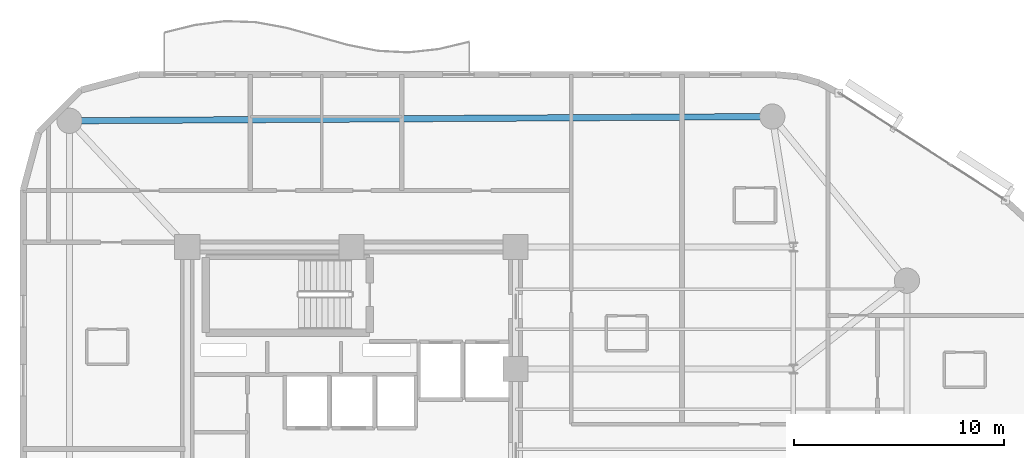
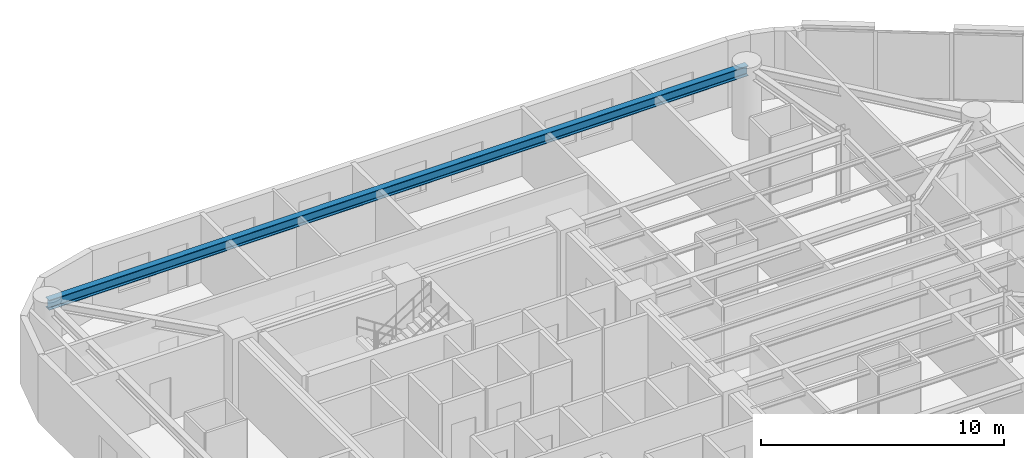
# One storey, part 7 of 15: 1 beam.
"""IFC4 building model written with IfcOpenShell, lengths in metres."""

from ifc_helpers import new_model, si_unit, direction, frame, origin, origin_2d, place, context, subcontext, project, spatial, i_section, extrude, material, material_profile, profile_set, type_object, element, save


model = new_model("IFC4")

# Units and contexts
model_context = context("Model", 3, precision=1e-05, world=origin(), true_north=direction((0.0, 1.0)))
body_context = subcontext(model_context, "Body", "Model", "MODEL_VIEW")
ifc_project = project(units=[si_unit("LENGTHUNIT", "METRE"), si_unit("AREAUNIT", "SQUARE_METRE"), si_unit("VOLUMEUNIT", "CUBIC_METRE"), si_unit("PLANEANGLEUNIT", "RADIAN"), si_unit("MASSUNIT", "GRAM", prefix="KILO")], contexts=[model_context])

# Site, building, storey
site_placement = place(None, origin())
site = spatial("IfcSite", under=ifc_project, at=site_placement, CompositionType="ELEMENT")
building_placement = place(site_placement, origin())
building = spatial("IfcBuilding", under=site, at=building_placement, Name="An Khanh Terracotta Commons", CompositionType="ELEMENT")
storey_placement = place(building_placement, frame((0.0, 0.0, 143.800048828125)))
storey = spatial("IfcBuildingStorey", under=building, at=storey_placement, Name="L37", CompositionType="ELEMENT", Elevation=143.800048828125)

# Beam
ifc_material = material(Name="Steel S355J2", Category="steel")
ifc_material_profile = material_profile(ifc_material, i_section(OverallWidth=0.300048828125, OverallDepth=0.5, WebThickness=0.014404296875, FlangeThickness=0.028076171875, FilletRadius=0.027099609375, at=origin_2d()), Name="HEB500")
ifc_profile_set = profile_set([ifc_material_profile], Name="Steel S355J2")
beam_type = type_object("IfcBeamType", Name="BM-HEB500", PredefinedType="BEAM", material=ifc_profile_set)
beam_placement = place(storey_placement, frame((49.39990234375, 39.800048828125, 3.14990234375), z_axis=(-0.999982080914, -0.005986472262, 0.0), x_axis=(0.005986472262, -0.999982080914, 0.0)))
element("IfcBeam", 1, at=beam_placement, inside=storey, type_object=beam_type, Name="L37 Perimeter Ring Spandrel 5", PredefinedType="BEAM", context=body_context, shape_type="SweptSolid", body=[
    extrude(i_section(OverallWidth=0.300048828125, OverallDepth=0.5, WebThickness=0.014404296875, FlangeThickness=0.028076171875, FilletRadius=0.027099609375, at=origin_2d()), origin(), (0.0, 0.0, 1.0), 33.400390625),
])

save(model, "model.ifc")
